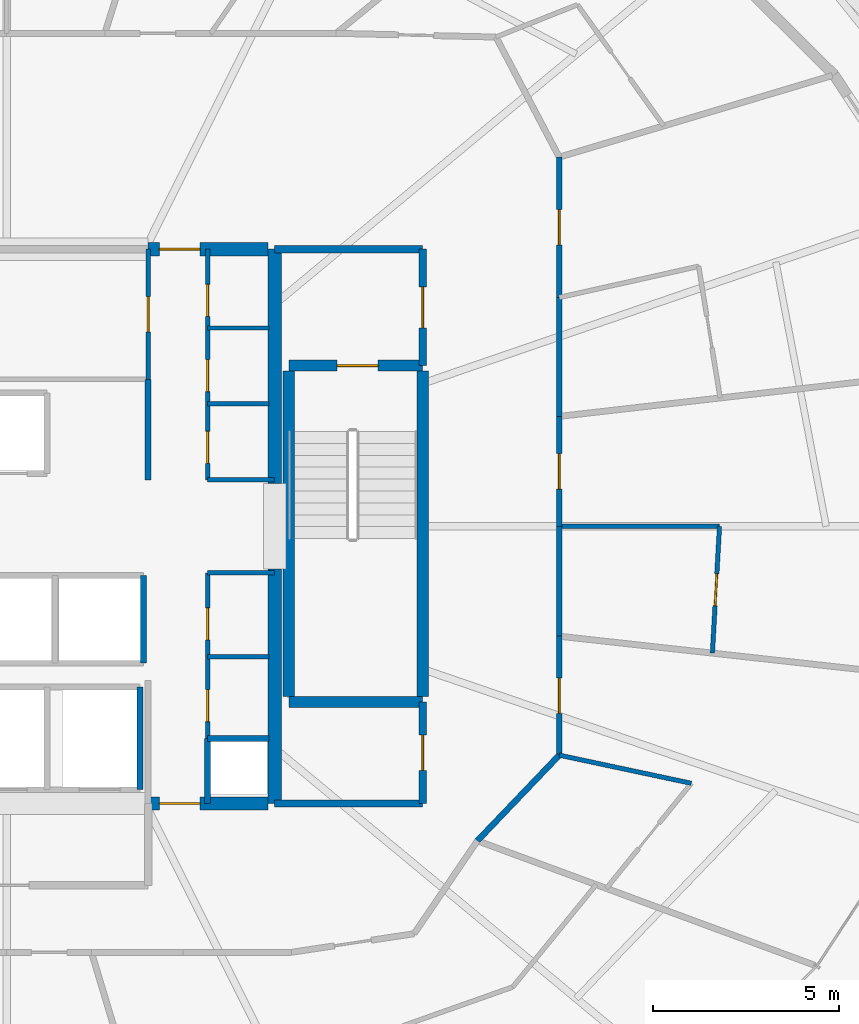
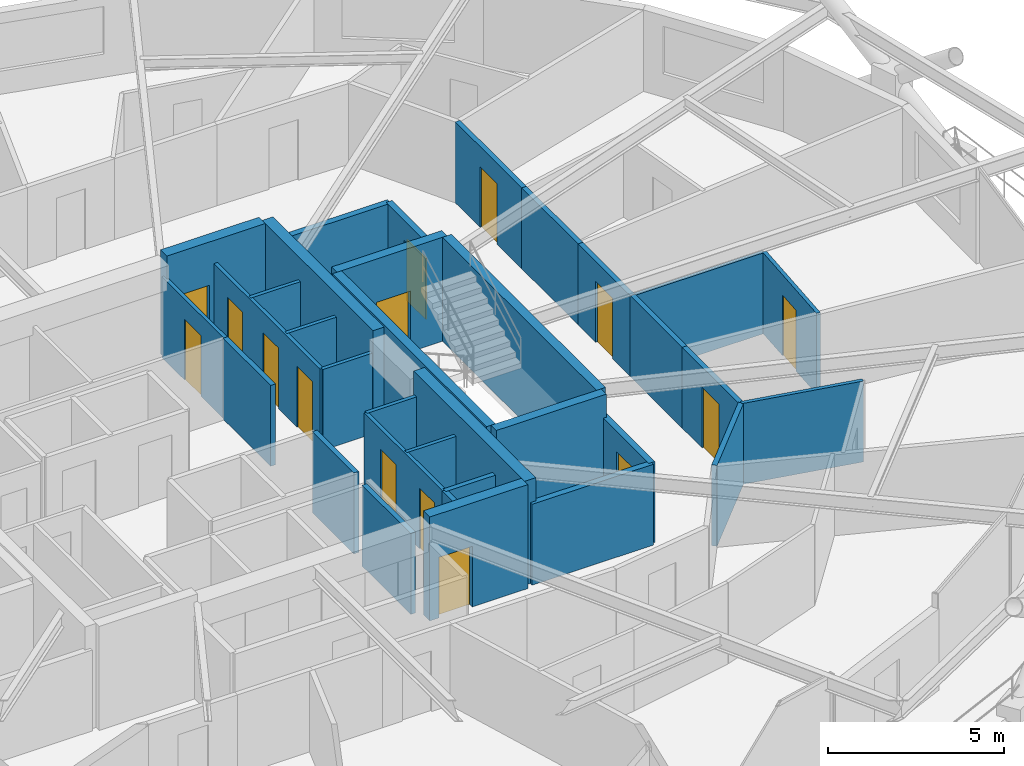
# One storey, part 15 of 20: 34 walls, 15 doors, 15 openings.
"""IFC4 building model written with IfcOpenShell, lengths in metres."""

import ifcopenshell
import ifcopenshell.guid

model = None  # the IFC model being written
_history = None  # IfcOwnerHistory: only IFC2X3 demands one
_inside = {}  # id of a spatial element -> (the spatial element, [elements in it])
_under = {}  # id of a project, library or spatial element -> (it, [spatial elements below it])
_declared = {}  # id of a project -> (the project, [libraries it declares])
_typed = {}  # id of a type object -> (the type object, [elements of that type])
_made_of = {}  # id of a material, layer set ... -> (it, [elements and type objects made of it])


def new_model(schema):
    """Start an empty IFC model of exactly this schema.

    Asked for "IFC4X3", IfcOpenShell would pick the latest addendum, in which some entities
    have other attributes; the version numbers below select the first issue.
    IFC2X3 requires an IfcOwnerHistory on every rooted entity: one is made here for all.
    """
    global model, _history
    if schema == "IFC4X3":
        model = ifcopenshell.file(schema_version=(4, 3, 0, 0))
    else:
        model = ifcopenshell.file(schema=schema)
    _inside.clear()
    _under.clear()
    _declared.clear()
    _typed.clear()
    _made_of.clear()
    _history = None
    if model.schema == "IFC2X3":
        org = make("IfcOrganization", Name="unknown")
        user = make(
            "IfcPersonAndOrganization",
            ThePerson=make("IfcPerson", FamilyName="unknown"),
            TheOrganization=org,
        )
        app = make(
            "IfcApplication",
            ApplicationDeveloper=org,
            Version="unknown",
            ApplicationFullName="unknown",
            ApplicationIdentifier="unknown",
        )
        _history = make(
            "IfcOwnerHistory",
            OwningUser=user,
            OwningApplication=app,
            ChangeAction="ADDED",
            CreationDate=0,
        )
    return model


def make(cls, **values):
    """One entity of the class cls with the attributes given. An attribute that is None is left unset."""
    return model.create_entity(
        cls, **{name: value for name, value in values.items() if value is not None}
    )


def rooted(cls, **values):
    """An entity with a GlobalId (a new one), such as an element, a storey or a relation."""
    return make(cls, GlobalId=ifcopenshell.guid.new(), OwnerHistory=_history, **values)


def si_unit(unit_type, name, prefix=None):
    """IfcSIUnit, for example si_unit("LENGTHUNIT", "METRE", prefix="MILLI")."""
    return make("IfcSIUnit", UnitType=unit_type, Prefix=prefix, Name=name)


def assignment(units):
    """IfcUnitAssignment: the units of a project."""
    return None if units is None else make("IfcUnitAssignment", Units=units)


def point(xyz):
    """IfcCartesianPoint."""
    return None if xyz is None else make("IfcCartesianPoint", Coordinates=xyz)


def direction(xyz):
    """IfcDirection."""
    return None if xyz is None else make("IfcDirection", DirectionRatios=xyz)


def frame(location, z_axis=None, x_axis=None):
    """IfcAxis2Placement3D, a coordinate frame: its origin and axes. An axis left out is left unset."""
    return make(
        "IfcAxis2Placement3D",
        Location=point(location),
        Axis=direction(z_axis),
        RefDirection=direction(x_axis),
    )


def frame_2d(location, x_axis=None):
    """IfcAxis2Placement2D, a coordinate frame in the plane: its origin and x axis."""
    return make(
        "IfcAxis2Placement2D", Location=point(location), RefDirection=direction(x_axis)
    )


def origin():
    """The frame at (0, 0, 0) with its axes left unset."""
    return frame((0.0, 0.0, 0.0))


def place(relative_to, where):
    """IfcLocalPlacement: puts the frame where relative to a parent placement (None: the world)."""
    return make(
        "IfcLocalPlacement", PlacementRelTo=relative_to, RelativePlacement=where
    )


def context(
    kind, dimensions, precision=None, world=None, true_north=None, identifier=None
):
    """IfcGeometricRepresentationContext, for example the 3D "Model" context."""
    return make(
        "IfcGeometricRepresentationContext",
        ContextIdentifier=identifier,
        ContextType=kind,
        CoordinateSpaceDimension=dimensions,
        Precision=precision,
        WorldCoordinateSystem=world,
        TrueNorth=true_north,
    )


def subcontext(parent, identifier, kind, view, scale=None):
    """IfcGeometricRepresentationSubContext, for example "Body" below "Model"."""
    return make(
        "IfcGeometricRepresentationSubContext",
        ContextIdentifier=identifier,
        ContextType=kind,
        ParentContext=parent,
        TargetScale=scale,
        TargetView=view,
    )


def project(units=None, contexts=None):
    """IfcProject with its units and contexts."""
    return rooted(
        "IfcProject",
        Name="project",
        RepresentationContexts=contexts,
        UnitsInContext=assignment(units),
    )


def spatial(cls, under=None, at=None, **own):
    """A site, building, storey or space (cls), placed at a placement, below another one or the project."""
    s = rooted(cls, ObjectPlacement=at, **own)
    if under is not None:
        _under.setdefault(under.id(), (under, []))[1].append(s)
    return s


def profile(cls, at=None, kind="AREA", **sizes):
    """A parametric profile (cls). Its sizes go by their IFC names, for example OverallWidth=200.0."""
    return make(cls, ProfileType=kind, Position=at, **sizes)


def rectangle(**sizes):
    """IfcRectangleProfileDef."""
    return profile("IfcRectangleProfileDef", **sizes)


def extrude(swept, where, along, depth):
    """IfcExtrudedAreaSolid: the profile swept, set in the frame where, extruded along a direction by depth."""
    return make(
        "IfcExtrudedAreaSolid",
        SweptArea=swept,
        Position=where,
        ExtrudedDirection=direction(along),
        Depth=depth,
    )


def shape(context_of_items, identifier, shape_type, items):
    """IfcShapeRepresentation: the items that make up one representation, for example the "Body"."""
    return make(
        "IfcShapeRepresentation",
        ContextOfItems=context_of_items,
        RepresentationIdentifier=identifier,
        RepresentationType=shape_type,
        Items=items,
    )


def material(Name=None, Category=None):
    """IfcMaterial."""
    return make("IfcMaterial", Name=Name, Category=Category)


def layer(
    of_material, thickness, ventilated=None, Name=None, Category=None, Priority=None
):
    """IfcMaterialLayer: one layer of a wall or slab, of a material (None: an air gap)."""
    return make(
        "IfcMaterialLayer",
        Material=of_material,
        LayerThickness=thickness,
        IsVentilated=ventilated,
        Name=Name,
        Category=Category,
        Priority=Priority,
    )


def layer_set(layers, Name=None):
    """IfcMaterialLayerSet."""
    return make("IfcMaterialLayerSet", MaterialLayers=layers, LayerSetName=Name)


def made_of(thing, what):
    """Note that an element or type object is made of a material, layer set ...; save() writes the relation."""
    if what is not None:
        _made_of.setdefault(what.id(), (what, []))[1].append(thing)
    return thing


def type_object(cls, material=None, **own):
    """A type object (cls), such as IfcWallType, which elements share."""
    return made_of(rooted(cls, **own), material)


def element(
    cls,
    number,
    at=None,
    inside=None,
    cuts=None,
    type_object=None,
    material=None,
    context=None,
    identifier="Body",
    shape_type=None,
    held_by="IfcProductDefinitionShape",
    body=None,
    shapes=None,
    **own,
):
    """One element of the class cls, such as IfcWall. Its Tag is "e" and its number.

    at: its placement. inside: the storey or other place that contains it. cuts: it is an
    opening in that element (IfcRelVoidsElement). A single representation is given by context,
    identifier, shape_type and body (its items); several are given by shapes. held_by: the class
    of the entity that holds the representations. save() writes the other relations.
    """
    e = rooted(cls, Tag="e%d" % number, ObjectPlacement=at, **own)
    if body is not None:
        shapes = [shape(context, identifier, shape_type, body)]
    if shapes is not None:
        e.Representation = make(held_by, Representations=shapes)
    if inside is not None:
        _inside.setdefault(inside.id(), (inside, []))[1].append(e)
    if cuts is not None:
        rooted(
            "IfcRelVoidsElement", RelatingBuildingElement=cuts, RelatedOpeningElement=e
        )
    if type_object is not None:
        _typed.setdefault(type_object.id(), (type_object, []))[1].append(e)
    return made_of(e, material)


def fill(opening, filler):
    """IfcRelFillsElement: the door or window that sits in an opening."""
    return rooted(
        "IfcRelFillsElement",
        RelatingOpeningElement=opening,
        RelatedBuildingElement=filler,
    )


def aggregate(whole, parts):
    """IfcRelAggregates: a whole, such as a stair, and the parts it consists of."""
    return rooted("IfcRelAggregates", RelatingObject=whole, RelatedObjects=parts)


def save(model, path):
    """Write the relations noted so far, then the file.

    IfcRelAggregates (storeys below a building ...), IfcRelContainedInSpatialStructure (elements
    in a storey), IfcRelDefinesByType, IfcRelAssociatesMaterial and IfcRelDeclares: one each for
    every whole, place, type object, material and project.
    """
    for whole, parts in _under.values():
        aggregate(whole, parts)
    for where, things in _inside.values():
        rooted(
            "IfcRelContainedInSpatialStructure",
            RelatedElements=things,
            RelatingStructure=where,
        )
    for kind, things in _typed.values():
        rooted("IfcRelDefinesByType", RelatedObjects=things, RelatingType=kind)
    for what, things in _made_of.values():
        rooted("IfcRelAssociatesMaterial", RelatedObjects=things, RelatingMaterial=what)
    for by, libraries in _declared.values():
        rooted("IfcRelDeclares", RelatingContext=by, RelatedDefinitions=libraries)
    model.write(path)


model = new_model("IFC4")

# Units and contexts
model_context = context("Model", 3, precision=1e-05, world=origin(), true_north=direction((0.0, 1.0)))
body_context = subcontext(model_context, "Body", "Model", "MODEL_VIEW")
ifc_project = project(units=[si_unit("LENGTHUNIT", "METRE"), si_unit("AREAUNIT", "SQUARE_METRE"), si_unit("VOLUMEUNIT", "CUBIC_METRE"), si_unit("PLANEANGLEUNIT", "RADIAN"), si_unit("MASSUNIT", "GRAM", prefix="KILO")], contexts=[model_context])

# Site, building, storey
site_placement = place(None, origin())
site = spatial("IfcSite", under=ifc_project, at=site_placement, CompositionType="ELEMENT")
building_placement = place(site_placement, origin())
building = spatial("IfcBuilding", under=site, at=building_placement, Name="Veldorina Hangang Commons", CompositionType="ELEMENT")
storey_placement = place(building_placement, frame((0.0, 0.0, 117.199951171875)))
storey = spatial("IfcBuildingStorey", under=building, at=storey_placement, Name="L29", CompositionType="ELEMENT", Elevation=117.199951171875)

# Walls
ifc_material_1 = material(Name="Concrete C60/75", Category="concrete")
ifc_layer_1 = layer(ifc_material_1, 0.360107421875)
ifc_layer_set_1 = layer_set([ifc_layer_1], Name="Concrete C60/75")
wall_type_1 = type_object("IfcWallType", Name="CW-RC360-C60", PredefinedType="SHEAR", material=ifc_layer_set_1)
for number, where, z_axis, x_axis, name in (
    (1, (39.199951171875, 16.550048828125, 0.0), (0.0, 0.0, 1.0), (0.0, 1.0, 0.0), "L29 E south core shear wall"),
    (2, (39.199951171875, 25.14990234375, 0.0), (0.0, 0.0, 1.0), (0.0, 1.0, 0.0), "L29 E north core shear wall"),
):
    element("IfcWall", number, at=place(storey_placement, frame(where, z_axis=z_axis, x_axis=x_axis)), inside=storey, type_object=wall_type_1, Name=name, PredefinedType="SHEAR", context=body_context, shape_type="SweptSolid", body=[
        extrude(rectangle(XDim=6.300048828125, YDim=0.360107421875, at=frame_2d((3.14990234375, 0.0))), origin(), (0.0, 0.0, 1.0), 3.60009765625),
    ])

# Wall, opening, door
wall_1_placement = place(storey_placement, frame((35.800048828125, 16.550048828125, 0.0), z_axis=(0.0, 0.0, 1.0), x_axis=(1.0, 0.0, 0.0)))
wall_1 = element("IfcWall", 3, at=wall_1_placement, inside=storey, type_object=wall_type_1, Name="L29 south-east core shear wall", PredefinedType="SHEAR", context=body_context, shape_type="SweptSolid", body=[
    extrude(rectangle(XDim=3.219970703125, YDim=0.360107421875, at=frame_2d((1.60986328125, 0.0))), origin(), (0.0, 0.0, 1.0), 3.60009765625),
])
opening_1_placement = place(wall_1_placement, frame((0.300048828125, 0.0, 0.0)))
opening_1 = element("IfcOpeningElement", 4, at=opening_1_placement, cuts=wall_1, Name="Opening D-08", PredefinedType="OPENING", context=body_context, shape_type="SweptSolid", body=[
    extrude(rectangle(XDim=1.10009765625, YDim=2.10009765625, at=frame_2d((0.550048828125, 1.050048828125))), frame((0.0, 0.18994140625, 0.0), z_axis=(0.0, -1.0, 0.0), x_axis=(1.0, 0.0, 0.0)), (0.0, 0.0, 1.0), 0.380126953125),
])
ifc_material_2 = material(Name="Steel Fire-Rated Smoke Seal", Category="steel")
door_type_1 = type_object("IfcDoorType", Name="DR-FIRE-1100", OperationType="SINGLE_SWING_RIGHT", PredefinedType="DOOR", material=ifc_material_2)
door_1_placement = place(opening_1_placement, origin())
door_1 = element("IfcDoor", 5, at=door_1_placement, inside=storey, type_object=door_type_1, Name="L29 central lift lobby south corridor door", OperationType="SINGLE_SWING_RIGHT", OverallHeight=2.10009765625, OverallWidth=1.10009765625, PredefinedType="DOOR", context=body_context, shape_type="SweptSolid", body=[
    extrude(rectangle(XDim=1.10009765625, YDim=2.10009765625, at=frame_2d((0.550048828125, 1.050048828125))), frame((0.0, 0.02490234375, 0.0), z_axis=(0.0, -1.0, 0.0), x_axis=(1.0, 0.0, 0.0)), (0.0, 0.0, 1.0), 0.050048828125),
])
fill(opening_1, door_1)

wall_2_placement = place(storey_placement, frame((35.800048828125, 31.449951171875, 0.0), z_axis=(0.0, 0.0, 1.0), x_axis=(1.0, 0.0, 0.0)))
wall_2 = element("IfcWall", 6, at=wall_2_placement, inside=storey, type_object=wall_type_1, Name="L29 north-east core shear wall", PredefinedType="SHEAR", context=body_context, shape_type="SweptSolid", body=[
    extrude(rectangle(XDim=3.219970703125, YDim=0.360107421875, at=frame_2d((1.60986328125, 0.0))), origin(), (0.0, 0.0, 1.0), 3.60009765625),
])
opening_2_placement = place(wall_2_placement, frame((0.300048828125, 0.0, 0.0)))
opening_2 = element("IfcOpeningElement", 7, at=opening_2_placement, cuts=wall_2, Name="Opening D-08", PredefinedType="OPENING", context=body_context, shape_type="SweptSolid", body=[
    extrude(rectangle(XDim=1.10009765625, YDim=2.10009765625, at=frame_2d((0.550048828125, 1.050048828125))), frame((0.0, 0.18994140625, 0.0), z_axis=(0.0, -1.0, 0.0), x_axis=(1.0, 0.0, 0.0)), (0.0, 0.0, 1.0), 0.380126953125),
])
door_2_placement = place(opening_2_placement, origin())
door_2 = element("IfcDoor", 8, at=door_2_placement, inside=storey, type_object=door_type_1, Name="L29 central lift lobby north corridor door", OperationType="SINGLE_SWING_LEFT", OverallHeight=2.10009765625, OverallWidth=1.10009765625, PredefinedType="DOOR", context=body_context, shape_type="SweptSolid", body=[
    extrude(rectangle(XDim=1.10009765625, YDim=2.10009765625, at=frame_2d((0.550048828125, 1.050048828125))), frame((0.0, 0.02490234375, 0.0), z_axis=(0.0, -1.0, 0.0), x_axis=(1.0, 0.0, 0.0)), (0.0, 0.0, 1.0), 0.050048828125),
])
fill(opening_2, door_2)

# Walls
ifc_material_3 = material(Name="Concrete C50/60", Category="concrete")
ifc_layer_2 = layer(ifc_material_3, 0.300048828125)
ifc_layer_set_2 = layer_set([ifc_layer_2], Name="Concrete C50/60")
wall_type_2 = type_object("IfcWallType", Name="SW-STAIR-300", PredefinedType="SHEAR", material=ifc_layer_set_2)
for number, where, z_axis, x_axis, name in (
    (9, (43.179931640625, 19.429931640625, 0.0), (0.0, 0.0, 1.0), (0.0, 1.0, 0.0), "L29 ST2 outer stair shear wall"),
    (10, (39.580078125, 19.429931640625, 0.0), (0.0, 0.0, 1.0), (0.0, 1.0, 0.0), "L29 ST2 inner stair shear wall"),
):
    element("IfcWall", number, at=place(storey_placement, frame(where, z_axis=z_axis, x_axis=x_axis)), inside=storey, type_object=wall_type_2, Name=name, PredefinedType="SHEAR", context=body_context, shape_type="SweptSolid", body=[
        extrude(rectangle(XDim=8.739990234375, YDim=0.300048828125, at=frame_2d((4.3701171875, 0.0))), origin(), (0.0, 0.0, 1.0), 3.60009765625),
    ])
wall_3_placement = place(storey_placement, frame((39.580078125, 19.280029296875, 0.0), z_axis=(0.0, 0.0, 1.0), x_axis=(1.0, 0.0, 0.0)))
element("IfcWall", 11, at=wall_3_placement, inside=storey, type_object=wall_type_2, Name="L29 ST2 south stair shear wall", PredefinedType="SHEAR", context=body_context, shape_type="SweptSolid", body=[
    extrude(rectangle(XDim=3.599853515625, YDim=0.300048828125, at=frame_2d((1.7998046875, 0.0))), origin(), (0.0, 0.0, 1.0), 3.60009765625),
])

# Wall, opening, door
wall_4_placement = place(storey_placement, frame((39.580078125, 28.320068359375, 0.0), z_axis=(0.0, 0.0, 1.0), x_axis=(1.0, 0.0, 0.0)))
wall_4 = element("IfcWall", 12, at=wall_4_placement, inside=storey, type_object=wall_type_2, Name="L29 ST2 north stair shear wall", PredefinedType="SHEAR", context=body_context, shape_type="SweptSolid", body=[
    extrude(rectangle(XDim=3.599853515625, YDim=0.300048828125, at=frame_2d((1.7998046875, 0.0))), origin(), (0.0, 0.0, 1.0), 3.60009765625),
])
opening_3_placement = place(wall_4_placement, frame((1.300048828125, 0.0, 0.0)))
opening_3 = element("IfcOpeningElement", 13, at=opening_3_placement, cuts=wall_4, Name="Opening D-08", PredefinedType="OPENING", context=body_context, shape_type="SweptSolid", body=[
    extrude(rectangle(XDim=1.10009765625, YDim=2.10009765625, at=frame_2d((0.550048828125, 1.050048828125))), frame((0.0, 0.16015625, 0.0), z_axis=(0.0, -1.0, 0.0), x_axis=(1.0, 0.0, 0.0)), (0.0, 0.0, 1.0), 0.320068359375),
])
door_3_placement = place(opening_3_placement, origin())
door_3 = element("IfcDoor", 14, at=door_3_placement, inside=storey, type_object=door_type_1, Name="L29 Special Escape Stair ST-2 door", OperationType="SINGLE_SWING_RIGHT", OverallHeight=2.10009765625, OverallWidth=1.10009765625, PredefinedType="DOOR", context=body_context, shape_type="SweptSolid", body=[
    extrude(rectangle(XDim=1.10009765625, YDim=2.10009765625, at=frame_2d((0.550048828125, 1.050048828125))), frame((0.0, 0.02490234375, 0.0), z_axis=(0.0, -1.0, 0.0), x_axis=(1.0, 0.0, 0.0)), (0.0, 0.0, 1.0), 0.050048828125),
])
fill(opening_3, door_3)

# Walls
ifc_material_4 = material(Name="Gypsum Fire-Rated Twin Stud Wall", Category="gypsum")
ifc_layer_3 = layer(ifc_material_4, 0.159912109375)
ifc_layer_set_3 = layer_set([ifc_layer_3], Name="Gypsum Fire-Rated Twin Stud Wall")
wall_type_3 = type_object("IfcWallType", Name="WL-FIRE-160", PredefinedType="SOLIDWALL", material=ifc_layer_set_3)
wall_5_placement = place(storey_placement, frame((37.39990234375, 16.550048828125, 0.0), z_axis=(0.0, 0.0, 1.0), x_axis=(0.0, 1.0, 0.0)))
element("IfcWall", 15, at=wall_5_placement, inside=storey, type_object=wall_type_3, Name="L29 Lift passage SE stub 010", PredefinedType="SOLIDWALL", context=body_context, shape_type="SweptSolid", body=[
    extrude(rectangle(XDim=1.75, YDim=0.159912109375, at=frame_2d((0.875, 0.0))), origin(), (0.0, 0.0, 1.0), 2.800048828125),
])
wall_6_placement = place(storey_placement, frame((35.800048828125, 25.25, 0.0), z_axis=(0.0, 0.0, 1.0), x_axis=(0.0, 1.0, 0.0)))
element("IfcWall", 16, at=wall_6_placement, inside=storey, type_object=wall_type_3, Name="L29 Lift passage NW lower wall 011", PredefinedType="SOLIDWALL", context=body_context, shape_type="SweptSolid", body=[
    extrude(rectangle(XDim=2.699951171875, YDim=0.159912109375, at=frame_2d((1.35009765625, 0.0))), origin(), (0.0, 0.0, 1.0), 2.800048828125),
])
wall_7_placement = place(storey_placement, frame((35.679931640625, 20.320068359375, 0.0), z_axis=(0.0, 0.0, 1.0), x_axis=(0.0, 1.0, 0.0)))
element("IfcWall", 17, at=wall_7_placement, inside=storey, type_object=wall_type_3, Name="L29 SL-2 east shaft wall 024", PredefinedType="SOLIDWALL", context=body_context, shape_type="SweptSolid", body=[
    extrude(rectangle(XDim=2.35986328125, YDim=0.159912109375, at=frame_2d((1.179931640625, 0.0))), origin(), (0.0, 0.0, 1.0), 2.800048828125),
])
wall_8_placement = place(storey_placement, frame((35.580078125, 16.919921875, 0.0), z_axis=(0.0, 0.0, 1.0), x_axis=(0.0, 1.0, 0.0)))
element("IfcWall", 18, at=wall_8_placement, inside=storey, type_object=wall_type_3, Name="L29 EVL-1 east shaft wall 030", PredefinedType="SOLIDWALL", context=body_context, shape_type="SweptSolid", body=[
    extrude(rectangle(XDim=2.760009765625, YDim=0.159912109375, at=frame_2d((1.3798828125, 0.0))), origin(), (0.0, 0.0, 1.0), 2.800048828125),
])
wall_9_placement = place(storey_placement, frame((37.39990234375, 18.300048828125, 0.0), z_axis=(0.0, 0.0, 1.0), x_axis=(1.0, 0.0, 0.0)))
element("IfcWall", 19, at=wall_9_placement, inside=storey, type_object=wall_type_3, Name="L29 Plumbing riser wall 037", PredefinedType="SOLIDWALL", context=body_context, shape_type="SweptSolid", body=[
    extrude(rectangle(XDim=1.650146484375, YDim=0.159912109375, at=frame_2d((0.8251953125, 0.0))), origin(), (0.0, 0.0, 1.0), 2.800048828125),
])

# Wall, opening, door
wall_10_placement = place(storey_placement, frame((46.85009765625, 24.0, 0.0), z_axis=(0.0, 0.0, 1.0), x_axis=(0.0, 1.0, 0.0)))
wall_10 = element("IfcWall", 20, at=wall_10_placement, inside=storey, type_object=wall_type_3, Name="L29 U-corridor outer wall 00 050", PredefinedType="SOLIDWALL", context=body_context, shape_type="SweptSolid", body=[
    extrude(rectangle(XDim=2.953857421875, YDim=0.159912109375, at=frame_2d((1.47705078125, 0.0))), origin(), (0.0, 0.0, 1.0), 2.800048828125),
])
opening_4_placement = place(wall_10_placement, frame((1.001953125, 0.0, 0.0)))
opening_4 = element("IfcOpeningElement", 21, at=opening_4_placement, cuts=wall_10, Name="Opening D-03", PredefinedType="OPENING", context=body_context, shape_type="SweptSolid", body=[
    extrude(rectangle(XDim=0.949951171875, YDim=2.10009765625, at=frame_2d((0.47509765625, 1.050048828125))), frame((0.0, 0.08984375, 0.0), z_axis=(0.0, -1.0, 0.0), x_axis=(1.0, 0.0, 0.0)), (0.0, 0.0, 1.0), 0.179931640625),
])
ifc_material_5 = material(Name="Timber Fire-Rated Entrance Core", Category="wood")
door_type_2 = type_object("IfcDoorType", Name="DR-UNIT-950", OperationType="SINGLE_SWING_RIGHT", PredefinedType="DOOR", material=ifc_material_5)
door_4_placement = place(opening_4_placement, origin())
door_4 = element("IfcDoor", 22, at=door_4_placement, inside=storey, type_object=door_type_2, Name="L29 Studio 3 entrance door 027", OperationType="SINGLE_SWING_LEFT", OverallHeight=2.10009765625, OverallWidth=0.949951171875, PredefinedType="DOOR", context=body_context, shape_type="SweptSolid", body=[
    extrude(rectangle(XDim=0.949951171875, YDim=2.10009765625, at=frame_2d((0.47509765625, 1.050048828125))), frame((0.0, 0.02490234375, 0.0), z_axis=(0.0, -1.0, 0.0), x_axis=(1.0, 0.0, 0.0)), (0.0, 0.0, 1.0), 0.050048828125),
])
fill(opening_4, door_4)

# Wall
wall_11_placement = place(storey_placement, frame((46.85009765625, 26.953857421875, 0.0), z_axis=(0.0, 0.0, 1.0), x_axis=(0.0, 1.0, 0.0)))
element("IfcWall", 23, at=wall_11_placement, inside=storey, type_object=wall_type_3, Name="L29 U-corridor outer wall 01 051", PredefinedType="SOLIDWALL", context=body_context, shape_type="SweptSolid", body=[
    extrude(rectangle(XDim=3.197265625, YDim=0.159912109375, at=frame_2d((1.5986328125, 0.0))), origin(), (0.0, 0.0, 1.0), 2.800048828125),
])

# Wall, opening, door
wall_12_placement = place(storey_placement, frame((46.85009765625, 30.151123046875, 0.0), z_axis=(0.0, 0.0, 1.0), x_axis=(0.0, 1.0, 0.0)))
wall_12 = element("IfcWall", 24, at=wall_12_placement, inside=storey, type_object=wall_type_3, Name="L29 U-corridor outer wall 02 052", PredefinedType="SOLIDWALL", context=body_context, shape_type="SweptSolid", body=[
    extrude(rectangle(XDim=3.771484375, YDim=0.159912109375, at=frame_2d((1.8857421875, 0.0))), origin(), (0.0, 0.0, 1.0), 2.800048828125),
])
opening_5_placement = place(wall_12_placement, frame((1.41064453125, 0.0, 0.0)))
opening_5 = element("IfcOpeningElement", 25, at=opening_5_placement, cuts=wall_12, Name="Opening D-03", PredefinedType="OPENING", context=body_context, shape_type="SweptSolid", body=[
    extrude(rectangle(XDim=0.949951171875, YDim=2.10009765625, at=frame_2d((0.47509765625, 1.050048828125))), frame((0.0, 0.08984375, 0.0), z_axis=(0.0, -1.0, 0.0), x_axis=(1.0, 0.0, 0.0)), (0.0, 0.0, 1.0), 0.179931640625),
])
door_5_placement = place(opening_5_placement, origin())
door_5 = element("IfcDoor", 26, at=door_5_placement, inside=storey, type_object=door_type_2, Name="L29 Studio 4 entrance door 029", OperationType="SINGLE_SWING_LEFT", OverallHeight=2.10009765625, OverallWidth=0.949951171875, PredefinedType="DOOR", context=body_context, shape_type="SweptSolid", body=[
    extrude(rectangle(XDim=0.949951171875, YDim=2.10009765625, at=frame_2d((0.47509765625, 1.050048828125))), frame((0.0, 0.02490234375, 0.0), z_axis=(0.0, -1.0, 0.0), x_axis=(1.0, 0.0, 0.0)), (0.0, 0.0, 1.0), 0.050048828125),
])
fill(opening_5, door_5)

# Wall
wall_13_placement = place(storey_placement, frame((44.64990234375, 15.547607421875, 0.0), z_axis=(0.0, 0.0, 1.0), x_axis=(0.691055487108, 0.722801711216, 0.0)))
element("IfcWall", 27, at=wall_13_placement, inside=storey, type_object=wall_type_3, Name="L29 U-corridor outer wall 29 079", PredefinedType="SOLIDWALL", context=body_context, shape_type="SweptSolid", body=[
    extrude(rectangle(XDim=3.183837890625, YDim=0.159912109375, at=frame_2d((1.591796875, 0.0))), origin(), (0.0, 0.0, 1.0), 2.800048828125),
])

# Wall, opening, door
wall_14_placement = place(storey_placement, frame((46.85009765625, 17.848876953125, 0.0), z_axis=(0.0, 0.0, 1.0), x_axis=(0.0, 1.0, 0.0)))
wall_14 = element("IfcWall", 28, at=wall_14_placement, inside=storey, type_object=wall_type_3, Name="L29 U-corridor outer wall 30 080", PredefinedType="SOLIDWALL", context=body_context, shape_type="SweptSolid", body=[
    extrude(rectangle(XDim=3.197265625, YDim=0.159912109375, at=frame_2d((1.5986328125, 0.0))), origin(), (0.0, 0.0, 1.0), 2.800048828125),
])
opening_6_placement = place(wall_14_placement, frame((1.123779296875, 0.0, 0.0)))
opening_6 = element("IfcOpeningElement", 29, at=opening_6_placement, cuts=wall_14, Name="Opening D-03", PredefinedType="OPENING", context=body_context, shape_type="SweptSolid", body=[
    extrude(rectangle(XDim=0.949951171875, YDim=2.10009765625, at=frame_2d((0.47509765625, 1.050048828125))), frame((0.0, 0.08984375, 0.0), z_axis=(0.0, -1.0, 0.0), x_axis=(1.0, 0.0, 0.0)), (0.0, 0.0, 1.0), 0.179931640625),
])
door_6_placement = place(opening_6_placement, origin())
door_6 = element("IfcDoor", 30, at=door_6_placement, inside=storey, type_object=door_type_2, Name="L29 Studio 2 entrance door 025", OperationType="SINGLE_SWING_LEFT", OverallHeight=2.10009765625, OverallWidth=0.949951171875, PredefinedType="DOOR", context=body_context, shape_type="SweptSolid", body=[
    extrude(rectangle(XDim=0.949951171875, YDim=2.10009765625, at=frame_2d((0.47509765625, 1.050048828125))), frame((0.0, 0.02490234375, 0.0), z_axis=(0.0, -1.0, 0.0), x_axis=(1.0, 0.0, 0.0)), (0.0, 0.0, 1.0), 0.050048828125),
])
fill(opening_6, door_6)

# Wall
wall_15_placement = place(storey_placement, frame((46.85009765625, 21.046142578125, 0.0), z_axis=(0.0, 0.0, 1.0), x_axis=(0.0, 1.0, 0.0)))
element("IfcWall", 31, at=wall_15_placement, inside=storey, type_object=wall_type_3, Name="L29 U-corridor outer wall 31 081", PredefinedType="SOLIDWALL", context=body_context, shape_type="SweptSolid", body=[
    extrude(rectangle(XDim=2.953857421875, YDim=0.159912109375, at=frame_2d((1.47705078125, 0.0))), origin(), (0.0, 0.0, 1.0), 2.800048828125),
])

# Wall, opening, door
ifc_material_6 = material(Name="Concrete Blockwork Fire Wall C30/37", Category="masonry")
ifc_layer_4 = layer(ifc_material_6, 0.199951171875)
ifc_layer_set_4 = layer_set([ifc_layer_4], Name="Concrete Blockwork Fire Wall C30/37")
wall_type_4 = type_object("IfcWallType", Name="WL-FIRE-200", PredefinedType="SOLIDWALL", material=ifc_layer_set_4)
wall_16_placement = place(storey_placement, frame((43.179931640625, 28.320068359375, 0.0), z_axis=(0.0, 0.0, 1.0), x_axis=(0.0, 1.0, 0.0)))
wall_16 = element("IfcWall", 32, at=wall_16_placement, inside=storey, type_object=wall_type_4, Name="L29 East vestibule outer wall 003", PredefinedType="SOLIDWALL", context=body_context, shape_type="SweptSolid", body=[
    extrude(rectangle(XDim=3.1298828125, YDim=0.199951171875, at=frame_2d((1.56494140625, 0.0))), origin(), (0.0, 0.0, 1.0), 2.800048828125),
])
opening_7_placement = place(wall_16_placement, frame((1.014892578125, 0.0, 0.0)))
opening_7 = element("IfcOpeningElement", 33, at=opening_7_placement, cuts=wall_16, Name="Opening D-08", PredefinedType="OPENING", context=body_context, shape_type="SweptSolid", body=[
    extrude(rectangle(XDim=1.10009765625, YDim=2.10009765625, at=frame_2d((0.550048828125, 1.050048828125))), frame((0.0, 0.10986328125, 0.0), z_axis=(0.0, -1.0, 0.0), x_axis=(1.0, 0.0, 0.0)), (0.0, 0.0, 1.0), 0.219970703125),
])
door_7_placement = place(opening_7_placement, origin())
door_7 = element("IfcDoor", 34, at=door_7_placement, inside=storey, type_object=door_type_1, Name="L29 East vestibule east door 002", OperationType="SINGLE_SWING_RIGHT", OverallHeight=2.10009765625, OverallWidth=1.10009765625, PredefinedType="DOOR", context=body_context, shape_type="SweptSolid", body=[
    extrude(rectangle(XDim=1.10009765625, YDim=2.10009765625, at=frame_2d((0.550048828125, 1.050048828125))), frame((0.0, 0.02490234375, 0.0), z_axis=(0.0, -1.0, 0.0), x_axis=(1.0, 0.0, 0.0)), (0.0, 0.0, 1.0), 0.050048828125),
])
fill(opening_7, door_7)

# Wall
wall_17_placement = place(storey_placement, frame((39.199951171875, 31.449951171875, 0.0), z_axis=(0.0, 0.0, 1.0), x_axis=(1.0, 0.0, 0.0)))
element("IfcWall", 35, at=wall_17_placement, inside=storey, type_object=wall_type_4, Name="L29 East vestibule north wall 004", PredefinedType="SOLIDWALL", context=body_context, shape_type="SweptSolid", body=[
    extrude(rectangle(XDim=3.97998046875, YDim=0.199951171875, at=frame_2d((1.989990234375, 0.0))), origin(), (0.0, 0.0, 1.0), 2.800048828125),
])

# Wall, opening, door
wall_18_placement = place(storey_placement, frame((43.179931640625, 16.550048828125, 0.0), z_axis=(0.0, 0.0, 1.0), x_axis=(0.0, 1.0, 0.0)))
wall_18 = element("IfcWall", 36, at=wall_18_placement, inside=storey, type_object=wall_type_4, Name="L29 SE core room outer wall 007", PredefinedType="SOLIDWALL", context=body_context, shape_type="SweptSolid", body=[
    extrude(rectangle(XDim=2.72998046875, YDim=0.199951171875, at=frame_2d((1.364990234375, 0.0))), origin(), (0.0, 0.0, 1.0), 2.800048828125),
])
opening_8_placement = place(wall_18_placement, frame((0.889892578125, 0.0, 0.0)))
opening_8 = element("IfcOpeningElement", 37, at=opening_8_placement, cuts=wall_18, Name="Opening D-02", PredefinedType="OPENING", context=body_context, shape_type="SweptSolid", body=[
    extrude(rectangle(XDim=0.949951171875, YDim=2.10009765625, at=frame_2d((0.47509765625, 1.050048828125))), frame((0.0, 0.10986328125, 0.0), z_axis=(0.0, -1.0, 0.0), x_axis=(1.0, 0.0, 0.0)), (0.0, 0.0, 1.0), 0.219970703125),
])
ifc_material_7 = material(Name="Timber Solid Core Acoustic", Category="wood")
door_type_3 = type_object("IfcDoorType", Name="DR-INT-950", OperationType="SINGLE_SWING_LEFT", PredefinedType="DOOR", material=ifc_material_7)
door_8_placement = place(opening_8_placement, origin())
door_8 = element("IfcDoor", 38, at=door_8_placement, inside=storey, type_object=door_type_3, Name="L29 SE core WC door 004", OperationType="SINGLE_SWING_RIGHT", OverallHeight=2.10009765625, OverallWidth=0.949951171875, PredefinedType="DOOR", context=body_context, shape_type="SweptSolid", body=[
    extrude(rectangle(XDim=0.949951171875, YDim=2.10009765625, at=frame_2d((0.47509765625, 1.050048828125))), frame((0.0, 0.02490234375, 0.0), z_axis=(0.0, -1.0, 0.0), x_axis=(1.0, 0.0, 0.0)), (0.0, 0.0, 1.0), 0.050048828125),
])
fill(opening_8, door_8)

# Wall
wall_19_placement = place(storey_placement, frame((39.199951171875, 16.550048828125, 0.0), z_axis=(0.0, 0.0, 1.0), x_axis=(1.0, 0.0, 0.0)))
element("IfcWall", 39, at=wall_19_placement, inside=storey, type_object=wall_type_4, Name="L29 SE core room south wall 008", PredefinedType="SOLIDWALL", context=body_context, shape_type="SweptSolid", body=[
    extrude(rectangle(XDim=3.97998046875, YDim=0.199951171875, at=frame_2d((1.989990234375, 0.0))), origin(), (0.0, 0.0, 1.0), 2.800048828125),
])

# Wall, opening, door
ifc_material_8 = material(Name="Gypsum Acoustic Stud Partition", Category="gypsum")
ifc_layer_5 = layer(ifc_material_8, 0.1201171875)
ifc_layer_set_5 = layer_set([ifc_layer_5], Name="Gypsum Acoustic Stud Partition")
wall_type_5 = type_object("IfcWallType", Name="WL-PART-120", PredefinedType="PARTITIONING", material=ifc_layer_set_5)
wall_20_placement = place(storey_placement, frame((35.800048828125, 27.949951171875, 0.0), z_axis=(0.0, 0.0, 1.0), x_axis=(0.0, 1.0, 0.0)))
wall_20 = element("IfcWall", 40, at=wall_20_placement, inside=storey, type_object=wall_type_5, Name="L29 Merged north east wall 033", PredefinedType="PARTITIONING", context=body_context, shape_type="SweptSolid", body=[
    extrude(rectangle(XDim=3.5, YDim=0.1201171875, at=frame_2d((1.75, 0.0))), origin(), (0.0, 0.0, 1.0), 2.800048828125),
])
opening_9_placement = place(wall_20_placement, frame((1.27490234375, 0.0, 0.0)))
opening_9 = element("IfcOpeningElement", 41, at=opening_9_placement, cuts=wall_20, Name="Opening D-02", PredefinedType="OPENING", context=body_context, shape_type="SweptSolid", body=[
    extrude(rectangle(XDim=0.949951171875, YDim=2.10009765625, at=frame_2d((0.47509765625, 1.050048828125))), frame((0.0, 0.070068359375, 0.0), z_axis=(0.0, -1.0, 0.0), x_axis=(1.0, 0.0, 0.0)), (0.0, 0.0, 1.0), 0.14013671875),
])
door_9_placement = place(opening_9_placement, origin())
door_9 = element("IfcDoor", 42, at=door_9_placement, inside=storey, type_object=door_type_3, Name="L29 Core linen store door 012", OperationType="SINGLE_SWING_RIGHT", OverallHeight=2.10009765625, OverallWidth=0.949951171875, PredefinedType="DOOR", context=body_context, shape_type="SweptSolid", body=[
    extrude(rectangle(XDim=0.949951171875, YDim=2.10009765625, at=frame_2d((0.47509765625, 1.050048828125))), frame((0.0, 0.02490234375, 0.0), z_axis=(0.0, -1.0, 0.0), x_axis=(1.0, 0.0, 0.0)), (0.0, 0.0, 1.0), 0.050048828125),
])
fill(opening_9, door_9)

# Wall, openings, doors
wall_21_placement = place(storey_placement, frame((37.39990234375, 25.25, 0.0), z_axis=(0.0, 0.0, 1.0), x_axis=(0.0, 1.0, 0.0)))
wall_21 = element("IfcWall", 43, at=wall_21_placement, inside=storey, type_object=wall_type_5, Name="L29 NE strip lobby wall 041", PredefinedType="PARTITIONING", context=body_context, shape_type="SweptSolid", body=[
    extrude(rectangle(XDim=6.199951171875, YDim=0.1201171875, at=frame_2d((3.10009765625, 0.0))), origin(), (0.0, 0.0, 1.0), 2.800048828125),
])
opening_10_placement = place(wall_21_placement, frame((0.43994140625, 0.0, 0.0)))
opening_10 = element("IfcOpeningElement", 44, at=opening_10_placement, cuts=wall_21, Name="Opening D-01", PredefinedType="OPENING", context=body_context, shape_type="SweptSolid", body=[
    extrude(rectangle(XDim=0.860107421875, YDim=2.10009765625, at=frame_2d((0.43017578125, 1.050048828125))), frame((0.0, 0.070068359375, 0.0), z_axis=(0.0, -1.0, 0.0), x_axis=(1.0, 0.0, 0.0)), (0.0, 0.0, 1.0), 0.14013671875),
])
opening_11_placement = place(wall_21_placement, frame((2.3701171875, 0.0, 0.0)))
opening_11 = element("IfcOpeningElement", 45, at=opening_11_placement, cuts=wall_21, Name="Opening D-01", PredefinedType="OPENING", context=body_context, shape_type="SweptSolid", body=[
    extrude(rectangle(XDim=0.860107421875, YDim=2.10009765625, at=frame_2d((0.43017578125, 1.050048828125))), frame((0.0, 0.070068359375, 0.0), z_axis=(0.0, -1.0, 0.0), x_axis=(1.0, 0.0, 0.0)), (0.0, 0.0, 1.0), 0.14013671875),
])
opening_12_placement = place(wall_21_placement, frame((4.389892578125, 0.0, 0.0)))
opening_12 = element("IfcOpeningElement", 46, at=opening_12_placement, cuts=wall_21, Name="Opening D-01", PredefinedType="OPENING", context=body_context, shape_type="SweptSolid", body=[
    extrude(rectangle(XDim=0.860107421875, YDim=2.10009765625, at=frame_2d((0.43017578125, 1.050048828125))), frame((0.0, 0.070068359375, 0.0), z_axis=(0.0, -1.0, 0.0), x_axis=(1.0, 0.0, 0.0)), (0.0, 0.0, 1.0), 0.14013671875),
])
ifc_material_9 = material(Name="Timber Moisture-Resistant Core", Category="wood")
door_type_4 = type_object("IfcDoorType", Name="DR-WET-860", OperationType="SINGLE_SWING_LEFT", PredefinedType="DOOR", material=ifc_material_9)
door_10_placement = place(opening_10_placement, origin())
door_10 = element("IfcDoor", 47, at=door_10_placement, inside=storey, type_object=door_type_4, Name="L29 Fiber Riser Closet door 017", OperationType="SINGLE_SWING_LEFT", OverallHeight=2.10009765625, OverallWidth=0.860107421875, PredefinedType="DOOR", context=body_context, shape_type="SweptSolid", body=[
    extrude(rectangle(XDim=0.860107421875, YDim=2.10009765625, at=frame_2d((0.43017578125, 1.050048828125))), frame((0.0, 0.02490234375, 0.0), z_axis=(0.0, -1.0, 0.0), x_axis=(1.0, 0.0, 0.0)), (0.0, 0.0, 1.0), 0.050048828125),
])
fill(opening_10, door_10)
door_11_placement = place(opening_11_placement, origin())
door_11 = element("IfcDoor", 48, at=door_11_placement, inside=storey, type_object=door_type_4, Name="L29 AV Rack Closet door 018", OperationType="SINGLE_SWING_RIGHT", OverallHeight=2.10009765625, OverallWidth=0.860107421875, PredefinedType="DOOR", context=body_context, shape_type="SweptSolid", body=[
    extrude(rectangle(XDim=0.860107421875, YDim=2.10009765625, at=frame_2d((0.43017578125, 1.050048828125))), frame((0.0, 0.02490234375, 0.0), z_axis=(0.0, -1.0, 0.0), x_axis=(1.0, 0.0, 0.0)), (0.0, 0.0, 1.0), 0.050048828125),
])
fill(opening_11, door_11)
door_12_placement = place(opening_12_placement, origin())
door_12 = element("IfcDoor", 49, at=door_12_placement, inside=storey, type_object=door_type_4, Name="L29 Supply Closet door 019", OperationType="SINGLE_SWING_LEFT", OverallHeight=2.10009765625, OverallWidth=0.860107421875, PredefinedType="DOOR", context=body_context, shape_type="SweptSolid", body=[
    extrude(rectangle(XDim=0.860107421875, YDim=2.10009765625, at=frame_2d((0.43017578125, 1.050048828125))), frame((0.0, 0.02490234375, 0.0), z_axis=(0.0, -1.0, 0.0), x_axis=(1.0, 0.0, 0.0)), (0.0, 0.0, 1.0), 0.050048828125),
])
fill(opening_12, door_12)

# Wall
wall_22_placement = place(storey_placement, frame((37.39990234375, 25.25, 0.0), z_axis=(0.0, 0.0, 1.0), x_axis=(1.0, 0.0, 0.0)))
element("IfcWall", 50, at=wall_22_placement, inside=storey, type_object=wall_type_5, Name="L29 NE strip south return wall 042", PredefinedType="PARTITIONING", context=body_context, shape_type="SweptSolid", body=[
    extrude(rectangle(XDim=1.800048828125, YDim=0.1201171875, at=frame_2d((0.89990234375, 0.0))), origin(), (0.0, 0.0, 1.0), 2.800048828125),
])

# Wall, openings, doors
wall_23_placement = place(storey_placement, frame((37.39990234375, 18.300048828125, 0.0), z_axis=(0.0, 0.0, 1.0), x_axis=(0.0, 1.0, 0.0)))
wall_23 = element("IfcWall", 51, at=wall_23_placement, inside=storey, type_object=wall_type_5, Name="L29 SE strip lobby wall 043", PredefinedType="PARTITIONING", context=body_context, shape_type="SweptSolid", body=[
    extrude(rectangle(XDim=4.449951171875, YDim=0.1201171875, at=frame_2d((2.22509765625, 0.0))), origin(), (0.0, 0.0, 1.0), 2.800048828125),
])
opening_13_placement = place(wall_23_placement, frame((0.449951171875, 0.0, 0.0)))
opening_13 = element("IfcOpeningElement", 52, at=opening_13_placement, cuts=wall_23, Name="Opening D-01", PredefinedType="OPENING", context=body_context, shape_type="SweptSolid", body=[
    extrude(rectangle(XDim=0.860107421875, YDim=2.10009765625, at=frame_2d((0.43017578125, 1.050048828125))), frame((0.0, 0.070068359375, 0.0), z_axis=(0.0, -1.0, 0.0), x_axis=(1.0, 0.0, 0.0)), (0.0, 0.0, 1.0), 0.14013671875),
])
opening_14_placement = place(wall_23_placement, frame((2.64990234375, 0.0, 0.0)))
opening_14 = element("IfcOpeningElement", 53, at=opening_14_placement, cuts=wall_23, Name="Opening D-01", PredefinedType="OPENING", context=body_context, shape_type="SweptSolid", body=[
    extrude(rectangle(XDim=0.860107421875, YDim=2.10009765625, at=frame_2d((0.43017578125, 1.050048828125))), frame((0.0, 0.070068359375, 0.0), z_axis=(0.0, -1.0, 0.0), x_axis=(1.0, 0.0, 0.0)), (0.0, 0.0, 1.0), 0.14013671875),
])
door_13_placement = place(opening_13_placement, origin())
door_13 = element("IfcDoor", 54, at=door_13_placement, inside=storey, type_object=door_type_4, Name="L29 Janitor sink door 020", OperationType="SINGLE_SWING_RIGHT", OverallHeight=2.10009765625, OverallWidth=0.860107421875, PredefinedType="DOOR", context=body_context, shape_type="SweptSolid", body=[
    extrude(rectangle(XDim=0.860107421875, YDim=2.10009765625, at=frame_2d((0.43017578125, 1.050048828125))), frame((0.0, 0.02490234375, 0.0), z_axis=(0.0, -1.0, 0.0), x_axis=(1.0, 0.0, 0.0)), (0.0, 0.0, 1.0), 0.050048828125),
])
fill(opening_13, door_13)
door_14_placement = place(opening_14_placement, origin())
door_14 = element("IfcDoor", 55, at=door_14_placement, inside=storey, type_object=door_type_4, Name="L29 Fire panel door 021", OperationType="SINGLE_SWING_LEFT", OverallHeight=2.10009765625, OverallWidth=0.860107421875, PredefinedType="DOOR", context=body_context, shape_type="SweptSolid", body=[
    extrude(rectangle(XDim=0.860107421875, YDim=2.10009765625, at=frame_2d((0.43017578125, 1.050048828125))), frame((0.0, 0.02490234375, 0.0), z_axis=(0.0, -1.0, 0.0), x_axis=(1.0, 0.0, 0.0)), (0.0, 0.0, 1.0), 0.050048828125),
])
fill(opening_14, door_14)

# Walls
wall_24_placement = place(storey_placement, frame((37.39990234375, 22.75, 0.0), z_axis=(0.0, 0.0, 1.0), x_axis=(1.0, 0.0, 0.0)))
element("IfcWall", 56, at=wall_24_placement, inside=storey, type_object=wall_type_5, Name="L29 SE strip north return wall 044", PredefinedType="PARTITIONING", context=body_context, shape_type="SweptSolid", body=[
    extrude(rectangle(XDim=1.800048828125, YDim=0.1201171875, at=frame_2d((0.89990234375, 0.0))), origin(), (0.0, 0.0, 1.0), 2.800048828125),
])
for number, where, z_axis, x_axis, name in (
    (57, (37.39990234375, 27.300048828125, 0.0), (0.0, 0.0, 1.0), (1.0, 0.0, 0.0), "L29 NE split 1 047"),
    (58, (37.39990234375, 29.330078125, 0.0), (0.0, 0.0, 1.0), (1.0, 0.0, 0.0), "L29 NE split 2 048"),
    (59, (37.39990234375, 20.5, 0.0), (0.0, 0.0, 1.0), (1.0, 0.0, 0.0), "L29 SE horizontal split 049"),
):
    element("IfcWall", number, at=place(storey_placement, frame(where, z_axis=z_axis, x_axis=x_axis)), inside=storey, type_object=wall_type_5, Name=name, PredefinedType="PARTITIONING", context=body_context, shape_type="SweptSolid", body=[
        extrude(rectangle(XDim=1.650146484375, YDim=0.1201171875, at=frame_2d((0.8251953125, 0.0))), origin(), (0.0, 0.0, 1.0), 2.800048828125),
    ])
wall_25_placement = place(storey_placement, frame((46.85009765625, 17.848876953125, 0.0), z_axis=(0.0, 0.0, 1.0), x_axis=(0.978051717374, -0.208362276195, 0.0)))
element("IfcWall", 60, at=wall_25_placement, inside=storey, type_object=wall_type_5, Name="L29 Studio 2 bath side wall 089", PredefinedType="PARTITIONING", context=body_context, shape_type="SweptSolid", body=[
    extrude(rectangle(XDim=3.6298828125, YDim=0.1201171875, at=frame_2d((1.81494140625, 0.0))), origin(), (0.0, 0.0, 1.0), 2.800048828125),
])

# Wall, opening, door
wall_26_placement = place(storey_placement, frame((50.966796875, 20.591552734375, 0.0), z_axis=(0.0, 0.0, 1.0), x_axis=(0.055996807688, 0.998430947802, 0.0)))
wall_26 = element("IfcWall", 61, at=wall_26_placement, inside=storey, type_object=wall_type_5, Name="L29 Studio 3 bath front wall 091", PredefinedType="PARTITIONING", context=body_context, shape_type="SweptSolid", body=[
    extrude(rectangle(XDim=3.413818359375, YDim=0.1201171875, at=frame_2d((1.70703125, 0.0))), origin(), (0.0, 0.0, 1.0), 2.800048828125),
])
opening_15_placement = place(wall_26_placement, frame((1.277099609375, 0.0, 0.0)))
opening_15 = element("IfcOpeningElement", 62, at=opening_15_placement, cuts=wall_26, Name="Opening D-01", PredefinedType="OPENING", context=body_context, shape_type="SweptSolid", body=[
    extrude(rectangle(XDim=0.860107421875, YDim=2.10009765625, at=frame_2d((0.43017578125, 1.050048828125))), frame((0.0, 0.070068359375, 0.0), z_axis=(0.0, -1.0, 0.0), x_axis=(1.0, 0.0, 0.0)), (0.0, 0.0, 1.0), 0.14013671875),
])
door_15_placement = place(opening_15_placement, origin())
door_15 = element("IfcDoor", 63, at=door_15_placement, inside=storey, type_object=door_type_4, Name="L29 Studio 3 bathroom door 026", OperationType="SINGLE_SWING_RIGHT", OverallHeight=2.10009765625, OverallWidth=0.860107421875, PredefinedType="DOOR", context=body_context, shape_type="SweptSolid", body=[
    extrude(rectangle(XDim=0.860107421875, YDim=2.10009765625, at=frame_2d((0.43017578125, 1.050048828125))), frame((0.0, 0.02490234375, 0.0), z_axis=(0.0, -1.0, 0.0), x_axis=(1.0, 0.0, 0.0)), (0.0, 0.0, 1.0), 0.050048828125),
])
fill(opening_15, door_15)

# Wall
wall_27_placement = place(storey_placement, frame((46.85009765625, 24.0, 0.0), z_axis=(0.0, 0.0, 1.0), x_axis=(1.0, 0.0, 0.0)))
element("IfcWall", 64, at=wall_27_placement, inside=storey, type_object=wall_type_5, Name="L29 Studio 3 bath side wall 092", PredefinedType="PARTITIONING", context=body_context, shape_type="SweptSolid", body=[
    extrude(rectangle(XDim=4.307861328125, YDim=0.1201171875, at=frame_2d((2.15380859375, 0.0))), origin(), (0.0, 0.0, 1.0), 2.800048828125),
])

save(model, "model.ifc")
